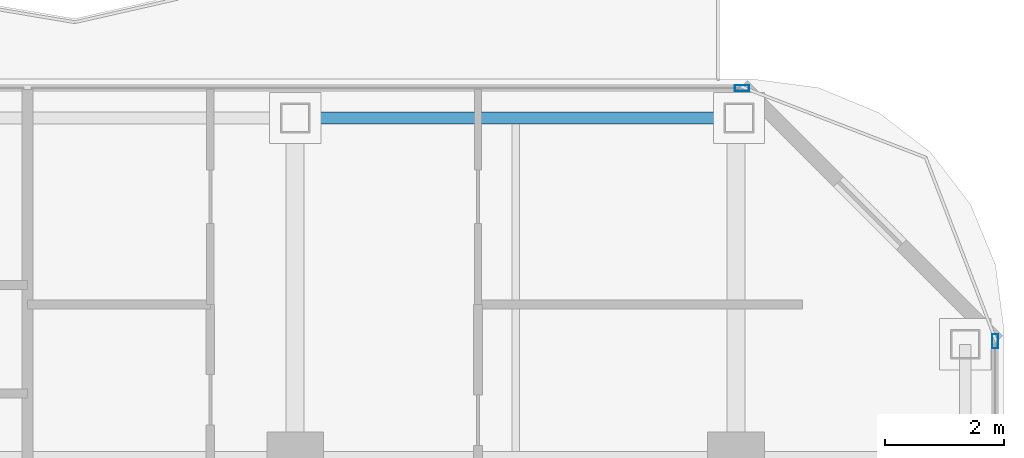
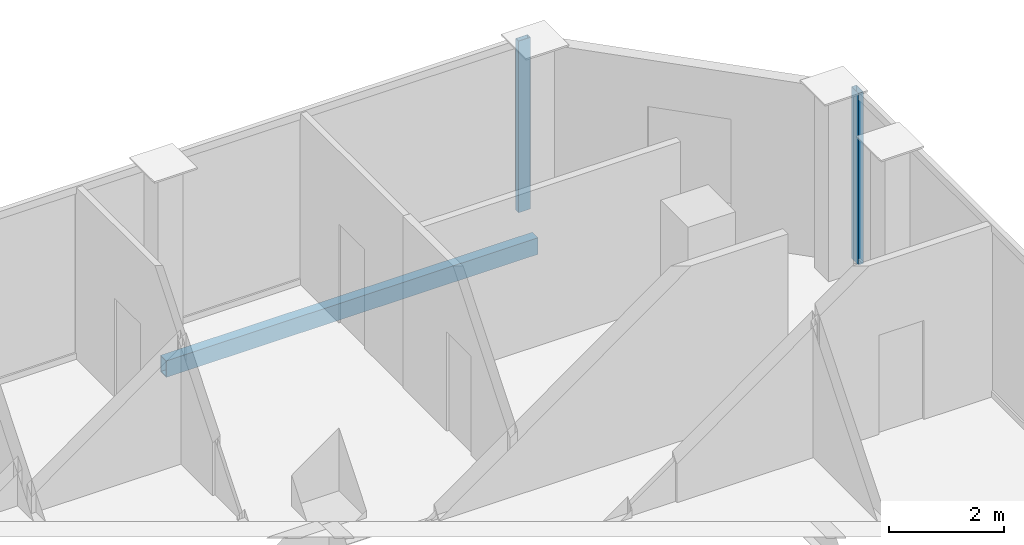
# One storey, part 14 of 22: 2 members, 1 beam, 2 elements without a shape of their own.
"""IFC4 building model written with IfcOpenShell, lengths in metres."""

from ifc_helpers import new_model, si_unit, direction, frame, origin, origin_2d, place, context, subcontext, project, spatial, hollow_rectangle, extrude, material, layer, layer_set, material_profile, profile_set, type_object, element, aggregate, save


model = new_model("IFC4")

# Units and contexts
model_context = context("Model", 3, precision=1e-05, world=origin(), true_north=direction((0.0, 1.0)))
body_context = subcontext(model_context, "Body", "Model", "MODEL_VIEW")
ifc_project = project(units=[si_unit("LENGTHUNIT", "METRE"), si_unit("AREAUNIT", "SQUARE_METRE"), si_unit("VOLUMEUNIT", "CUBIC_METRE"), si_unit("PLANEANGLEUNIT", "RADIAN"), si_unit("MASSUNIT", "GRAM", prefix="KILO")], contexts=[model_context])

# Site, building, storey
site_placement = place(None, origin())
site = spatial("IfcSite", under=ifc_project, at=site_placement, CompositionType="ELEMENT")
building_placement = place(site_placement, origin())
building = spatial("IfcBuilding", under=site, at=building_placement, Name="Khorvyn Point Tower", CompositionType="ELEMENT")
storey_placement = place(building_placement, frame((0.0, 0.0, 309.300048828125)))
storey = spatial("IfcBuildingStorey", under=building, at=storey_placement, Name="L76", CompositionType="ELEMENT", Elevation=309.300048828125)

# Curtain wall, member
ifc_material_1 = material(Name="Anodised aluminium 6063-T6 and laminated Low-E glass", Category="aluminium")
ifc_layer = layer(ifc_material_1, 0.18994140625)
ifc_layer_set = layer_set([ifc_layer], Name="Stick-Built High-Wind Curtain Wall CW-SYS-04")
curtain_wall_type = type_object("IfcCurtainWallType", Name="Stick-Built High-Wind Curtain Wall CW-SYS-04", PredefinedType="NOTDEFINED", material=ifc_layer_set)
curtain_wall_1_placement = place(storey_placement, origin())
curtain_wall_1 = element("IfcCurtainWall", 1, at=curtain_wall_1_placement, inside=storey, type_object=curtain_wall_type, Name="Curtain Wall", PredefinedType="NOTDEFINED")
ifc_material_2 = material(Name="Anodised aluminium 6063-T6", Category="aluminium")
ifc_material_profile_1 = material_profile(ifc_material_2, hollow_rectangle(XDim=0.10009765625, YDim=0.239990234375, WallThickness=0.0048828125, at=origin_2d()))
ifc_profile_set_1 = profile_set([ifc_material_profile_1], Name="Anodised aluminium 6063-T6 ALU-MUL-100x240")
member_type = type_object("IfcMemberType", Name="Anodised Aluminium 6063-T6 Mullion ALU-MUL-100x240", PredefinedType="MULLION", material=ifc_profile_set_1)
member_1_placement = place(storey_placement, frame((14.89990234375, 21.050048828125, 0.0), z_axis=(0.0, 0.0, 1.0), x_axis=(0.0, 1.0, 0.0)))
member_1 = element("IfcMember", 2, at=member_1_placement, type_object=member_type, Name="Transom", PredefinedType="MULLION", context=body_context, shape_type="SweptSolid", body=[
    extrude(hollow_rectangle(XDim=0.10009765625, YDim=0.239990234375, WallThickness=0.0048828125, at=origin_2d()), origin(), (0.0, 0.0, 1.0), 3.639892578125),
])
aggregate(curtain_wall_1, [member_1])

curtain_wall_2_placement = place(storey_placement, origin())
curtain_wall_2 = element("IfcCurtainWall", 3, at=curtain_wall_2_placement, inside=storey, type_object=curtain_wall_type, Name="Curtain Wall", PredefinedType="NOTDEFINED")
member_2_placement = place(storey_placement, frame((19.14990234375, 16.800048828125, 0.0), z_axis=(0.0, 0.0, 1.0), x_axis=(1.0, 0.0, 0.0)))
member_2 = element("IfcMember", 4, at=member_2_placement, type_object=member_type, Name="Transom", PredefinedType="MULLION", context=body_context, shape_type="SweptSolid", body=[
    extrude(hollow_rectangle(XDim=0.10009765625, YDim=0.239990234375, WallThickness=0.0048828125, at=origin_2d()), origin(), (0.0, 0.0, 1.0), 3.639892578125),
])
aggregate(curtain_wall_2, [member_2])

# Beam
ifc_material_3 = material(Name="Steel S355", Category="steel")
ifc_material_profile_2 = material_profile(ifc_material_3, hollow_rectangle(XDim=0.199951171875, YDim=0.35009765625, WallThickness=0.013916015625, at=origin_2d()))
ifc_profile_set_2 = profile_set([ifc_material_profile_2], Name="Steel S355 RHS350x200x14")
beam_type = type_object("IfcBeamType", Name="Steel S355 Spandrel RHS350x200x14", PredefinedType="SPANDREL", material=ifc_profile_set_2)
beam_placement = place(storey_placement, frame((7.39990234375, 20.550048828125, -0.39501953125), z_axis=(1.0, 0.0, 0.0), x_axis=(0.0, 1.0, 0.0)))
element("IfcBeam", 5, at=beam_placement, inside=storey, type_object=beam_type, Name="Beam", PredefinedType="SPANDREL", context=body_context, shape_type="SweptSolid", body=[
    extrude(hollow_rectangle(XDim=0.199951171875, YDim=0.35009765625, WallThickness=0.013916015625, at=origin_2d()), origin(), (0.0, 0.0, 1.0), 7.4501953125),
])

save(model, "model.ifc")
